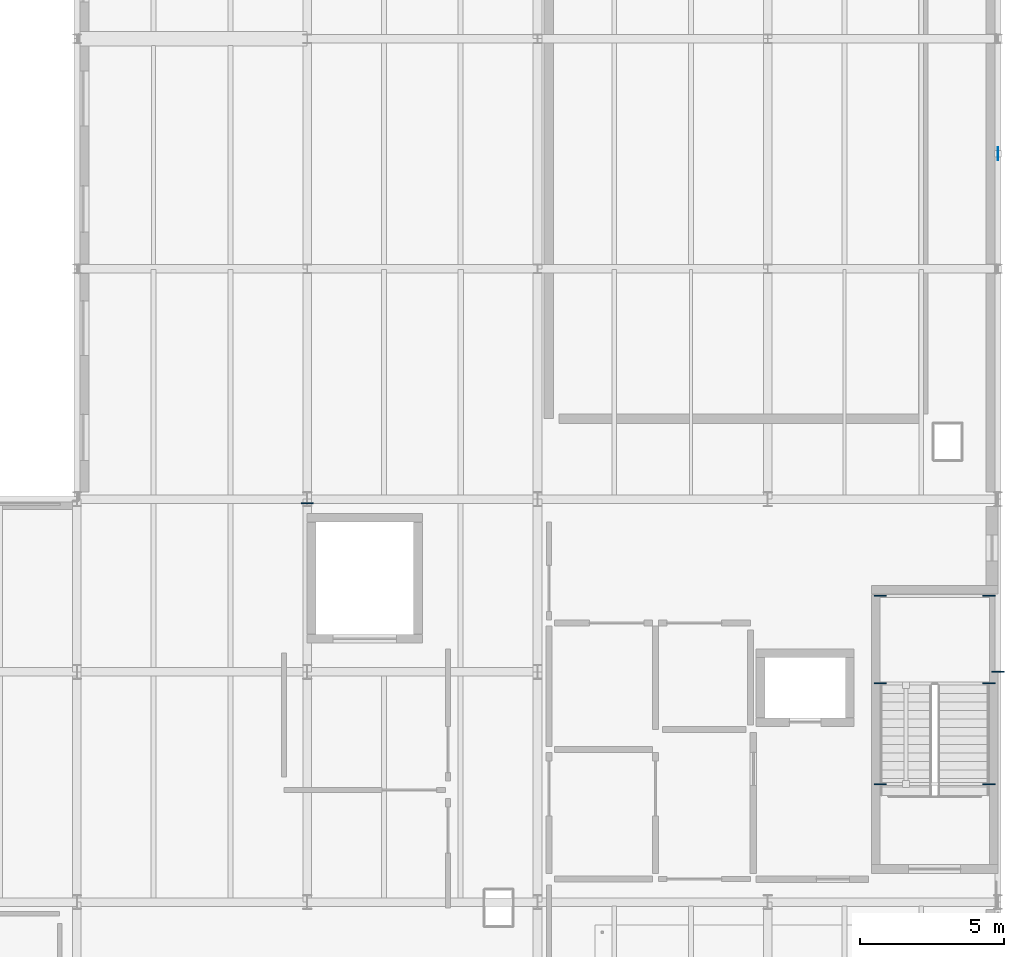
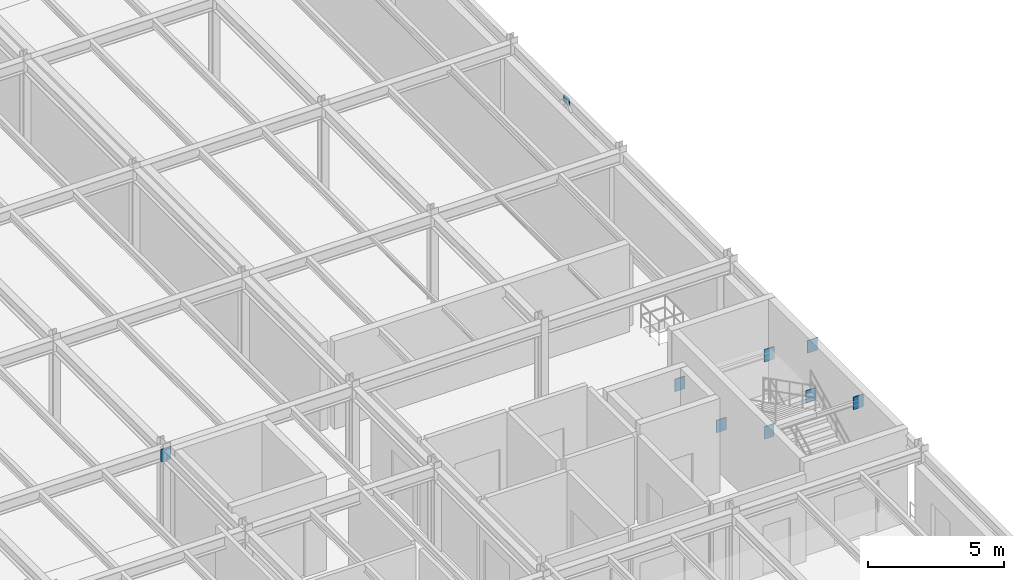
# One storey, part 80 of 122: 9 plates.
"""IFC4 building model written with IfcOpenShell, lengths in metres."""

from ifc_helpers import new_model, si_unit, direction, frame, origin, origin_2d, place, context, subcontext, project, spatial, rectangle, extrude, material, layer, layer_set, type_object, element, save


model = new_model("IFC4")

# Units and contexts
model_context = context("Model", 3, precision=1e-05, world=origin(), true_north=direction((0.0, 1.0)))
body_context = subcontext(model_context, "Body", "Model", "MODEL_VIEW")
ifc_project = project(units=[si_unit("LENGTHUNIT", "METRE"), si_unit("AREAUNIT", "SQUARE_METRE"), si_unit("VOLUMEUNIT", "CUBIC_METRE"), si_unit("PLANEANGLEUNIT", "RADIAN"), si_unit("MASSUNIT", "GRAM", prefix="KILO")], contexts=[model_context])

# Site, building, storey
site_placement = place(None, origin())
site = spatial("IfcSite", under=ifc_project, at=site_placement, CompositionType="ELEMENT")
building_placement = place(site_placement, origin())
building = spatial("IfcBuilding", under=site, at=building_placement, Name="Sundkrona Museum", CompositionType="ELEMENT")
storey_placement = place(building_placement, frame((0.0, 0.0, 5.39990234375)))
storey = spatial("IfcBuildingStorey", under=building, at=storey_placement, Name="L01", CompositionType="ELEMENT", Elevation=5.39990234375)

# Plates
ifc_material = material(Name="Steel S355J2", Category="steel")
ifc_layer_1 = layer(ifc_material, 0.034912109375)
ifc_layer_set_1 = layer_set([ifc_layer_1], Name="Steel S355J2")
plate_type_1 = type_object("IfcPlateType", Name="EP-1", PredefinedType="USERDEFINED", material=ifc_layer_set_1)
for number, where, z_axis, x_axis, name in (
    (1, (168.0, 40.0, 3.39013671875), (0.0, 0.0, 1.0), (1.0, 0.0, 0.0), "Core Wall Cast-In Embed Plate BM-L01-Y-1111-2"),
    (2, (163.909912109375, 39.598388671875, 1.5), (0.0, 0.0, 1.0), (1.0, 0.0, 0.0), "Core Wall Cast-In Embed Plate BM-STLD-ST-1-L01-1A-1"),
    (3, (167.68994140625, 39.598388671875, 1.5), (0.0, 0.0, 1.0), (1.0, 0.0, 0.0), "Core Wall Cast-In Embed Plate BM-STLD-ST-1-L01-1A-2"),
    (4, (163.909912109375, 42.63671875, 1.5), (0.0, 0.0, 1.0), (1.0, 0.0, 0.0), "Core Wall Cast-In Embed Plate BM-STLD-ST-1-L01-1B-1"),
    (5, (167.68994140625, 42.63671875, 1.5), (0.0, 0.0, 1.0), (1.0, 0.0, 0.0), "Core Wall Cast-In Embed Plate BM-STLD-ST-1-L01-1B-2"),
    (6, (163.909912109375, 36.10009765625, 3.33349609375), (0.0, 0.0, 1.0), (1.0, 0.0, 0.0), "Core Wall Cast-In Embed Plate BM-STHD-ST-1-L01-2-1"),
    (7, (167.68994140625, 36.10009765625, 3.33349609375), (0.0, 0.0, 1.0), (1.0, 0.0, 0.0), "Core Wall Cast-In Embed Plate BM-STHD-ST-1-L01-2-2"),
    (8, (144.0, 45.85009765625, 3.3701171875), (0.0, 0.0, 1.0), (1.0, 0.0, 0.0), "Structural Wall Cast-In Embed Plate BM-L01-Y-1070-2"),
):
    element("IfcPlate", number, at=place(storey_placement, frame(where, z_axis=z_axis, x_axis=x_axis)), inside=storey, type_object=plate_type_1, Name=name, ObjectType="GUSSET PLATE", PredefinedType="USERDEFINED", context=body_context, shape_type="SweptSolid", body=[
        extrude(rectangle(XDim=0.419921875, YDim=0.034912109375, at=origin_2d()), origin(), (0.0, 0.0, 1.0), 0.56005859375),
    ])
ifc_layer_2 = layer(ifc_material, 0.02197265625)
ifc_layer_set_2 = layer_set([ifc_layer_2], Name="Steel S355J2")
plate_type_2 = type_object("IfcPlateType", Name="GP-5", PredefinedType="USERDEFINED", material=ifc_layer_set_2)
plate_placement = place(storey_placement, frame((168.0, 58.0, 3.565185546875), z_axis=(0.0, 0.0, 1.0), x_axis=(0.0, 1.0, 0.0)))
element("IfcPlate", 9, at=plate_placement, inside=storey, type_object=plate_type_2, Name="L01 Chevron Apex Gusset Plate 027", ObjectType="GUSSET PLATE", PredefinedType="USERDEFINED", context=body_context, shape_type="SweptSolid", body=[
    extrude(rectangle(XDim=0.43994140625, YDim=0.02197265625, at=origin_2d()), origin(), (0.0, 0.0, 1.0), 0.31005859375),
])

save(model, "model.ifc")
